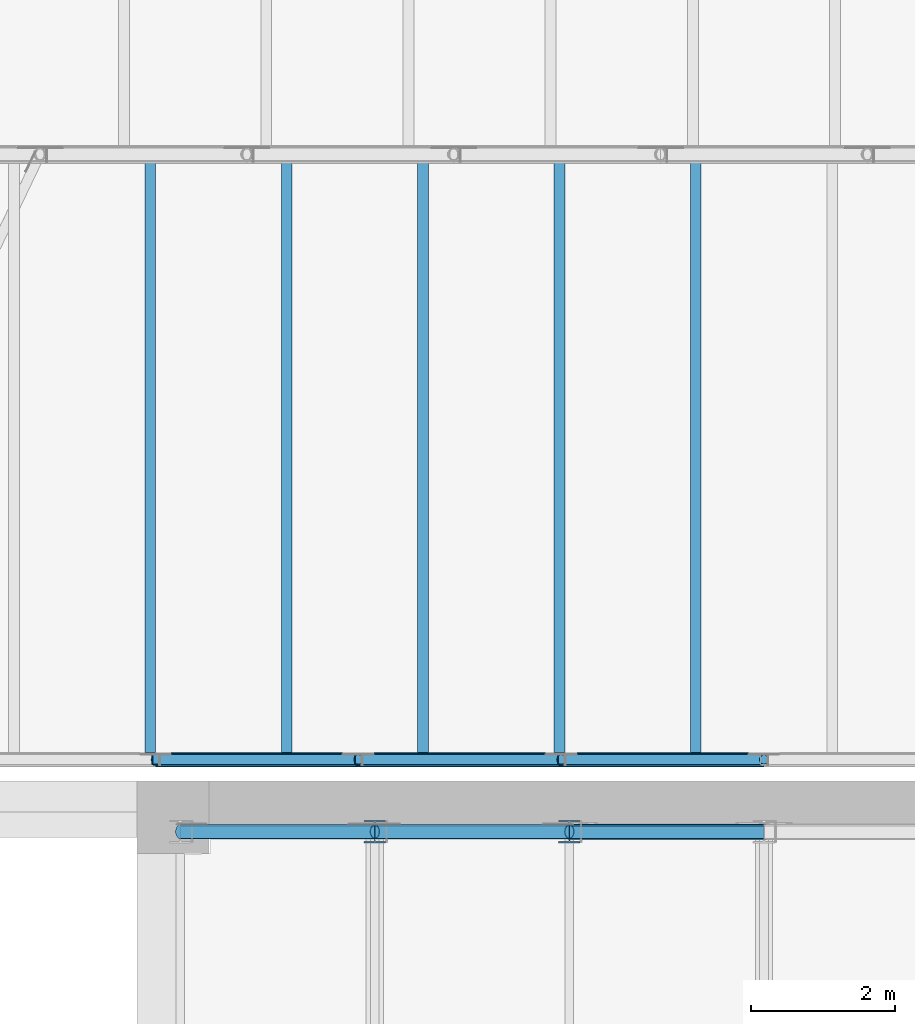
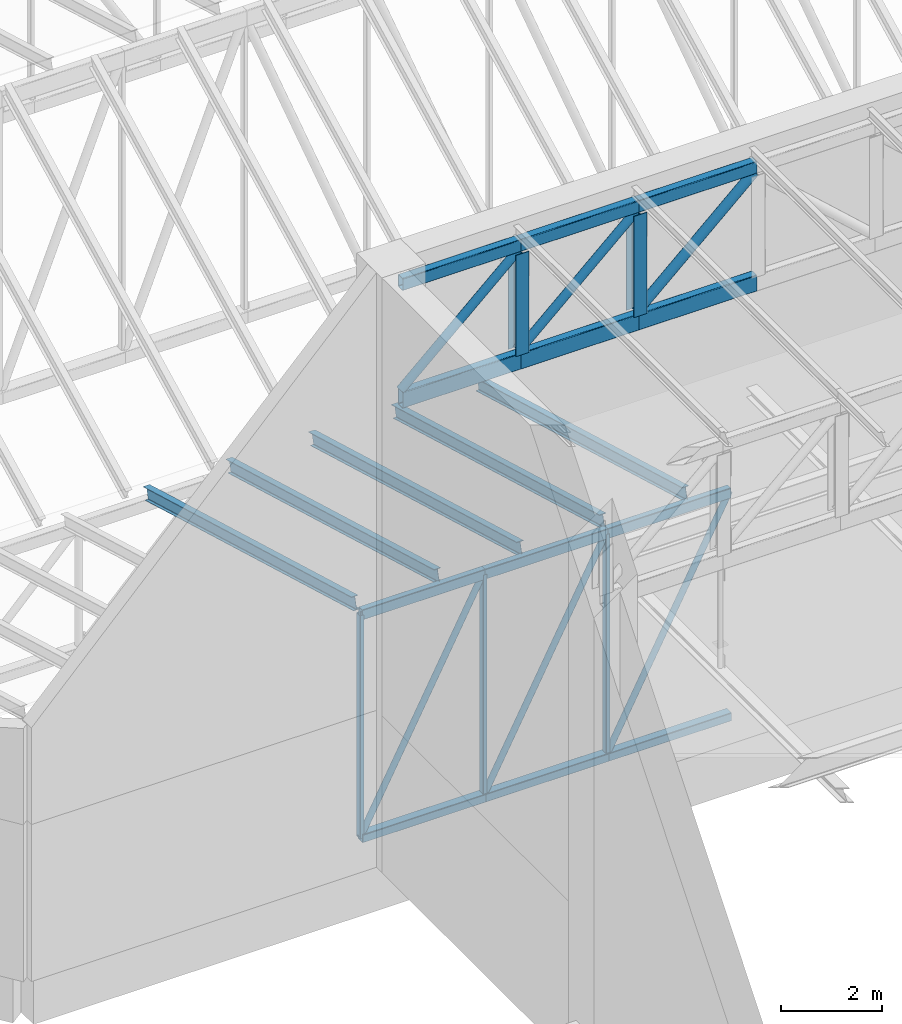
# One storey, part 10 of 68: 16 members, 12 beams.
"""IFC4 building model written with IfcOpenShell, lengths in metres."""

from ifc_helpers import new_model, si_unit, direction, frame, origin, origin_2d, place, context, subcontext, project, spatial, hollow_rectangle, hollow_circle, i_section, extrude, material, material_profile, profile_set, type_object, element, save


model = new_model("IFC4")

# Units and contexts
model_context = context("Model", 3, precision=1e-05, world=origin(), true_north=direction((0.0, 1.0)))
body_context = subcontext(model_context, "Body", "Model", "MODEL_VIEW")
ifc_project = project(units=[si_unit("LENGTHUNIT", "METRE"), si_unit("AREAUNIT", "SQUARE_METRE"), si_unit("VOLUMEUNIT", "CUBIC_METRE"), si_unit("PLANEANGLEUNIT", "RADIAN"), si_unit("MASSUNIT", "GRAM", prefix="KILO")], contexts=[model_context])

# Site, building, storey
site_placement = place(None, origin())
site = spatial("IfcSite", under=ifc_project, at=site_placement, CompositionType="ELEMENT")
building_placement = place(site_placement, origin())
building = spatial("IfcBuilding", under=site, at=building_placement, Name="Larchfold Concert Hall", CompositionType="ELEMENT")
storey_placement = place(building_placement, frame((0.0, 0.0, 28.800048828125)))
storey = spatial("IfcBuildingStorey", under=building, at=storey_placement, Name="L06", CompositionType="ELEMENT", Elevation=28.800048828125)

# Members
ifc_material_1 = material(Name="Steel S355", Category="steel")
ifc_material_profile_1 = material_profile(ifc_material_1, i_section(OverallWidth=0.14990234375, OverallDepth=0.300048828125, WebThickness=0.007080078125, FlangeThickness=0.0107421875, FilletRadius=0.014892578125, at=origin_2d()))
ifc_profile_set_1 = profile_set([ifc_material_profile_1], Name="Steel S355")
member_type_1 = type_object("IfcMemberType", Name="Rafter IPE 300", PredefinedType="RAFTER", material=ifc_profile_set_1)
for number, where, z_axis, x_axis, name in (
    (1, (34.083740234375, 60.054931640625, 5.646240234375), (0.0, 0.962273331526, -0.272084610799), (-1.0, 0.0, 0.0), "Member RF0005"),
    (2, (35.976318359375, 60.054931640625, 5.646240234375), (0.0, 0.962273331526, -0.272084610799), (-1.0, 0.0, 0.0), "Member RF0006"),
    (3, (37.868896484375, 60.054931640625, 5.646240234375), (0.0, 0.962273331526, -0.272084610799), (-1.0, 0.0, 0.0), "Member RF0007"),
    (4, (39.76123046875, 60.054931640625, 5.646240234375), (0.0, 0.962273331526, -0.272084610799), (-1.0, 0.0, 0.0), "Member RF0008"),
    (5, (41.65380859375, 60.054931640625, 5.646240234375), (0.0, 0.962273331526, -0.272084610799), (-1.0, 0.0, 0.0), "Member RF0009"),
):
    element("IfcMember", number, at=place(storey_placement, frame(where, z_axis=z_axis, x_axis=x_axis)), inside=storey, type_object=member_type_1, Name=name, PredefinedType="RAFTER", context=body_context, shape_type="SweptSolid", body=[
        extrude(i_section(OverallWidth=0.14990234375, OverallDepth=0.300048828125, WebThickness=0.007080078125, FlangeThickness=0.0107421875, FilletRadius=0.014892578125, at=origin_2d()), origin(), (0.0, 0.0, 1.0), 8.5888671875),
    ])

# Beams
ifc_material_2 = material(Name="Steel S355J2H", Category="steel")
ifc_material_profile_2 = material_profile(ifc_material_2, hollow_rectangle(XDim=0.14990234375, YDim=0.25, WallThickness=0.010009765625, InnerFilletRadius=0.010009765625, OuterFilletRadius=0.02001953125, at=origin_2d()))
ifc_profile_set_2 = profile_set([ifc_material_profile_2], Name="Steel S355J2H")
beam_type_1 = type_object("IfcBeamType", Name="Truss chord RHS 250x150x10", PredefinedType="BEAM", material=ifc_profile_set_2)
for number, where, z_axis, x_axis, name in (
    (6, (34.15673828125, 60.0, 5.39990234375), (1.0, 0.0, 0.0), (0.0, 1.0, 0.0), "Beam FT1T04"),
    (7, (36.97119140625, 60.0, 5.39990234375), (1.0, 0.0, 0.0), (0.0, 1.0, 0.0), "Beam FT1T05"),
    (8, (39.78564453125, 60.0, 5.39990234375), (1.0, 0.0, 0.0), (0.0, 1.0, 0.0), "Beam FT1T06"),
):
    element("IfcBeam", number, at=place(storey_placement, frame(where, z_axis=z_axis, x_axis=x_axis)), inside=storey, type_object=beam_type_1, Name=name, PredefinedType="BEAM", context=body_context, shape_type="SweptSolid", body=[
        extrude(hollow_rectangle(XDim=0.14990234375, YDim=0.25, WallThickness=0.010009765625, InnerFilletRadius=0.010009765625, OuterFilletRadius=0.02001953125, at=origin_2d()), origin(), (0.0, 0.0, 1.0), 2.814453125),
    ])
ifc_material_3 = material(Name="Steel S355J2H", Category="steel")
ifc_material_profile_3 = material_profile(ifc_material_3, hollow_rectangle(XDim=0.199951171875, YDim=0.300048828125, WallThickness=0.012451171875, InnerFilletRadius=0.018798828125, OuterFilletRadius=0.03125, at=origin_2d()))
ifc_profile_set_3 = profile_set([ifc_material_profile_3], Name="Steel S355J2H")
beam_type_2 = type_object("IfcBeamType", Name="Truss chord RHS 300x200x12.5", PredefinedType="BEAM", material=ifc_profile_set_3)
for number, where, z_axis, x_axis, name in (
    (9, (34.5, 59.0, 13.89990234375), (1.0, 0.0, 0.0), (0.0, 1.0, 0.0), "Beam SR4T01"),
    (10, (37.199951171875, 59.0, 13.89990234375), (1.0, 0.0, 0.0), (0.0, 1.0, 0.0), "Beam SR4T02"),
):
    element("IfcBeam", number, at=place(storey_placement, frame(where, z_axis=z_axis, x_axis=x_axis)), inside=storey, type_object=beam_type_2, Name=name, PredefinedType="BEAM", context=body_context, shape_type="SweptSolid", body=[
        extrude(hollow_rectangle(XDim=0.199951171875, YDim=0.300048828125, WallThickness=0.012451171875, InnerFilletRadius=0.018798828125, OuterFilletRadius=0.03125, at=origin_2d()), origin(), (0.0, 0.0, 1.0), 2.699951171875),
    ])
beam_1_placement = place(storey_placement, frame((39.89990234375, 59.0, 13.89990234375), z_axis=(1.0, 0.0, 0.0), x_axis=(0.0, 1.0, 0.0)))
element("IfcBeam", 11, at=beam_1_placement, inside=storey, type_object=beam_type_2, Name="Beam SR4T03", PredefinedType="BEAM", context=body_context, shape_type="SweptSolid", body=[
    extrude(hollow_rectangle(XDim=0.199951171875, YDim=0.300048828125, WallThickness=0.012451171875, InnerFilletRadius=0.018798828125, OuterFilletRadius=0.03125, at=origin_2d()), origin(), (0.0, 0.0, 1.0), 2.7001953125),
])
ifc_material_4 = material(Name="Steel S355J2H", Category="steel")
ifc_material_profile_4 = material_profile(ifc_material_4, hollow_rectangle(XDim=0.199951171875, YDim=0.39990234375, WallThickness=0.012451171875, InnerFilletRadius=0.018798828125, OuterFilletRadius=0.03125, at=origin_2d()))
ifc_profile_set_4 = profile_set([ifc_material_profile_4], Name="Steel S355J2H")
beam_type_3 = type_object("IfcBeamType", Name="Truss chord RHS 400x200x12.5", PredefinedType="BEAM", material=ifc_profile_set_4)
for number, where, z_axis, x_axis, name in (
    (12, (34.5, 59.0, 11.099853515625), (1.0, 0.0, 0.0), (0.0, 1.0, 0.0), "Beam SR4B01"),
    (13, (37.199951171875, 59.0, 11.099853515625), (1.0, 0.0, 0.0), (0.0, 1.0, 0.0), "Beam SR4B02"),
):
    element("IfcBeam", number, at=place(storey_placement, frame(where, z_axis=z_axis, x_axis=x_axis)), inside=storey, type_object=beam_type_3, Name=name, PredefinedType="BEAM", context=body_context, shape_type="SweptSolid", body=[
        extrude(hollow_rectangle(XDim=0.199951171875, YDim=0.39990234375, WallThickness=0.012451171875, InnerFilletRadius=0.018798828125, OuterFilletRadius=0.03125, at=origin_2d()), origin(), (0.0, 0.0, 1.0), 2.699951171875),
    ])
beam_2_placement = place(storey_placement, frame((39.89990234375, 59.0, 11.099853515625), z_axis=(1.0, 0.0, 0.0), x_axis=(0.0, 1.0, 0.0)))
element("IfcBeam", 14, at=beam_2_placement, inside=storey, type_object=beam_type_3, Name="Beam SR4B03", PredefinedType="BEAM", context=body_context, shape_type="SweptSolid", body=[
    extrude(hollow_rectangle(XDim=0.199951171875, YDim=0.39990234375, WallThickness=0.012451171875, InnerFilletRadius=0.018798828125, OuterFilletRadius=0.03125, at=origin_2d()), origin(), (0.0, 0.0, 1.0), 2.7001953125),
])

# Members
ifc_material_5 = material(Name="Steel S355", Category="steel")
ifc_material_profile_5 = material_profile(ifc_material_5, i_section(OverallWidth=0.300048828125, OverallDepth=0.31005859375, WebThickness=0.009033203125, FlangeThickness=0.015380859375, FilletRadius=0.027099609375, at=origin_2d()))
ifc_profile_set_5 = profile_set([ifc_material_profile_5], Name="Steel S355")
member_type_2 = type_object("IfcMemberType", Name="Truss post HEA 320", PredefinedType="POST", material=ifc_profile_set_5)
for number, where, z_axis, x_axis, name in (
    (15, (37.199951171875, 59.0, 11.300048828125), (0.0, 0.0, 1.0), (1.0, 0.0, 0.0), "Member SR4V02"),
    (16, (39.89990234375, 59.0, 11.300048828125), (0.0, 0.0, 1.0), (1.0, 0.0, 0.0), "Member SR4V03"),
):
    element("IfcMember", number, at=place(storey_placement, frame(where, z_axis=z_axis, x_axis=x_axis)), inside=storey, type_object=member_type_2, Name=name, PredefinedType="POST", context=body_context, shape_type="SweptSolid", body=[
        extrude(i_section(OverallWidth=0.300048828125, OverallDepth=0.31005859375, WebThickness=0.009033203125, FlangeThickness=0.015380859375, FilletRadius=0.027099609375, at=origin_2d()), origin(), (0.0, 0.0, 1.0), 2.449951171875),
    ])
ifc_material_6 = material(Name="Steel S355J2H", Category="steel")
ifc_material_profile_6 = material_profile(ifc_material_6, hollow_rectangle(XDim=0.10009765625, YDim=0.14990234375, WallThickness=0.008056640625, InnerFilletRadius=0.008056640625, OuterFilletRadius=0.01611328125, at=origin_2d()))
ifc_profile_set_6 = profile_set([ifc_material_profile_6], Name="Steel S355J2H")
member_type_3 = type_object("IfcMemberType", Name="Truss post RHS 150x100x8", PredefinedType="POST", material=ifc_profile_set_6)
for number, where, z_axis, x_axis, name in (
    (17, (34.15673828125, 60.0, 5.39990234375), (0.0, 0.0, -1.0), (1.0, 0.0, 0.0), "Member FT1V04"),
    (18, (36.97119140625, 60.0, 5.39990234375), (0.0, 0.0, -1.0), (1.0, 0.0, 0.0), "Member FT1V05"),
    (19, (39.78564453125, 60.0, 5.39990234375), (0.0, 0.0, -1.0), (1.0, 0.0, 0.0), "Member FT1V06"),
):
    element("IfcMember", number, at=place(storey_placement, frame(where, z_axis=z_axis, x_axis=x_axis)), inside=storey, type_object=member_type_3, Name=name, PredefinedType="POST", context=body_context, shape_type="SweptSolid", body=[
        extrude(hollow_rectangle(XDim=0.10009765625, YDim=0.14990234375, WallThickness=0.008056640625, InnerFilletRadius=0.008056640625, OuterFilletRadius=0.01611328125, at=origin_2d()), origin(), (0.0, 0.0, 1.0), 5.39990234375),
    ])

# Beams
ifc_material_7 = material(Name="Steel S355J2H", Category="steel")
ifc_material_profile_7 = material_profile(ifc_material_7, hollow_rectangle(XDim=0.199951171875, YDim=0.199951171875, WallThickness=0.010009765625, InnerFilletRadius=0.010009765625, OuterFilletRadius=0.02001953125, at=origin_2d()))
ifc_profile_set_7 = profile_set([ifc_material_profile_7], Name="Steel S355J2H")
beam_type_4 = type_object("IfcBeamType", Name="Truss tie SHS 200x200x10", PredefinedType="BEAM", material=ifc_profile_set_7)
for number, where, z_axis, x_axis, name in (
    (20, (34.15673828125, 60.0, 0.0), (1.0, 0.0, 0.0), (0.0, 1.0, 0.0), "Beam FT1B04"),
    (21, (36.97119140625, 60.0, 0.0), (1.0, 0.0, 0.0), (0.0, 1.0, 0.0), "Beam FT1B05"),
    (22, (39.78564453125, 60.0, 0.0), (1.0, 0.0, 0.0), (0.0, 1.0, 0.0), "Beam FT1B06"),
):
    element("IfcBeam", number, at=place(storey_placement, frame(where, z_axis=z_axis, x_axis=x_axis)), inside=storey, type_object=beam_type_4, Name=name, PredefinedType="BEAM", context=body_context, shape_type="SweptSolid", body=[
        extrude(hollow_rectangle(XDim=0.199951171875, YDim=0.199951171875, WallThickness=0.010009765625, InnerFilletRadius=0.010009765625, OuterFilletRadius=0.02001953125, at=origin_2d()), origin(), (0.0, 0.0, 1.0), 2.814453125),
    ])

# Members
ifc_material_8 = material(Name="Steel S355J2H", Category="steel")
ifc_material_profile_8 = material_profile(ifc_material_8, hollow_circle(Radius=0.06982421875, WallThickness=0.00634765625, at=origin_2d()))
ifc_profile_set_8 = profile_set([ifc_material_profile_8], Name="Steel S355J2H")
member_type_4 = type_object("IfcMemberType", Name="Truss web CHS 139.7x6.3", PredefinedType="BRACE", material=ifc_profile_set_8)
for number, where, z_axis, x_axis, name in (
    (23, (34.15673828125, 60.0, 0.0), (0.462193272746, 0.0, 0.886779216394), (0.0, 1.0, 0.0), "Member FT1D04"),
    (24, (36.97119140625, 60.0, 0.0), (0.462193272746, 0.0, 0.886779216394), (0.0, 1.0, 0.0), "Member FT1D05"),
    (25, (39.78564453125, 60.0, 0.0), (0.462193272746, 0.0, 0.886779216394), (0.0, 1.0, 0.0), "Member FT1D06"),
):
    element("IfcMember", number, at=place(storey_placement, frame(where, z_axis=z_axis, x_axis=x_axis)), inside=storey, type_object=member_type_4, Name=name, PredefinedType="BRACE", context=body_context, shape_type="SweptSolid", body=[
        extrude(hollow_circle(Radius=0.06982421875, WallThickness=0.00634765625, at=origin_2d()), origin(), (0.0, 0.0, 1.0), 6.08935546875),
    ])
ifc_material_9 = material(Name="Steel S355J2H", Category="steel")
ifc_material_profile_9 = material_profile(ifc_material_9, hollow_circle(Radius=0.096923828125, WallThickness=0.008056640625, at=origin_2d()))
ifc_profile_set_9 = profile_set([ifc_material_profile_9], Name="Steel S355J2H")
member_type_5 = type_object("IfcMemberType", Name="Truss web CHS 193.7x8", PredefinedType="BRACE", material=ifc_profile_set_9)
for number, where, z_axis, x_axis, name in (
    (26, (34.5, 59.0, 11.300048828125), (0.740560922263, 0.0, 0.671989226414), (0.0, 1.0, 0.0), "Member SR4D01"),
    (27, (37.199951171875, 59.0, 11.300048828125), (0.740560922263, 0.0, 0.671989226414), (0.0, 1.0, 0.0), "Member SR4D02"),
):
    element("IfcMember", number, at=place(storey_placement, frame(where, z_axis=z_axis, x_axis=x_axis)), inside=storey, type_object=member_type_5, Name=name, PredefinedType="BRACE", context=body_context, shape_type="SweptSolid", body=[
        extrude(hollow_circle(Radius=0.096923828125, WallThickness=0.008056640625, at=origin_2d()), origin(), (0.0, 0.0, 1.0), 3.645751953125),
    ])
ifc_material_10 = material(Name="Steel S355J2H", Category="steel")
ifc_material_profile_10 = material_profile(ifc_material_10, hollow_circle(Radius=0.109619140625, WallThickness=0.010009765625, at=origin_2d()))
ifc_profile_set_10 = profile_set([ifc_material_profile_10], Name="Steel S355J2H")
member_type_6 = type_object("IfcMemberType", Name="Truss web CHS 219.1x10", PredefinedType="BRACE", material=ifc_profile_set_10)
member_placement = place(storey_placement, frame((39.89990234375, 59.0, 11.300048828125), z_axis=(0.740591159162, 0.0, 0.671955902549), x_axis=(0.0, 1.0, 0.0)))
element("IfcMember", 28, at=member_placement, inside=storey, type_object=member_type_6, Name="Member SR4D03", PredefinedType="BRACE", context=body_context, shape_type="SweptSolid", body=[
    extrude(hollow_circle(Radius=0.109619140625, WallThickness=0.010009765625, at=origin_2d()), origin(), (0.0, 0.0, 1.0), 3.64599609375),
])

save(model, "model.ifc")
